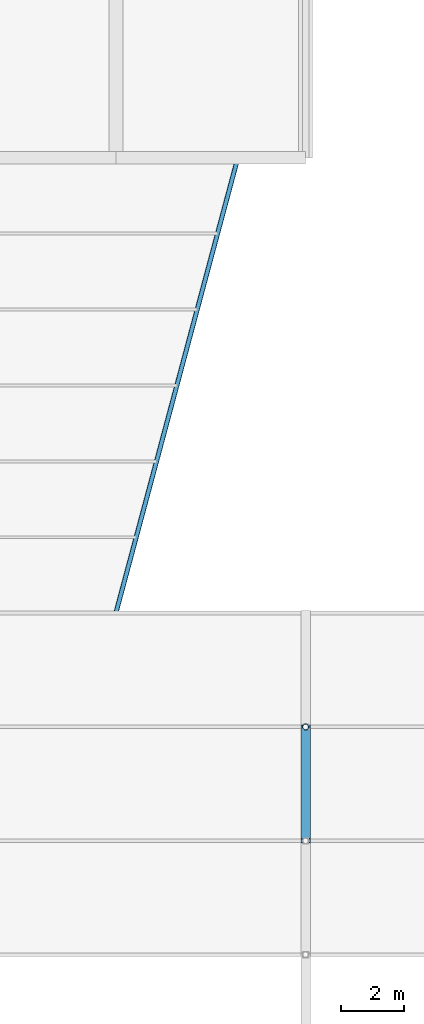
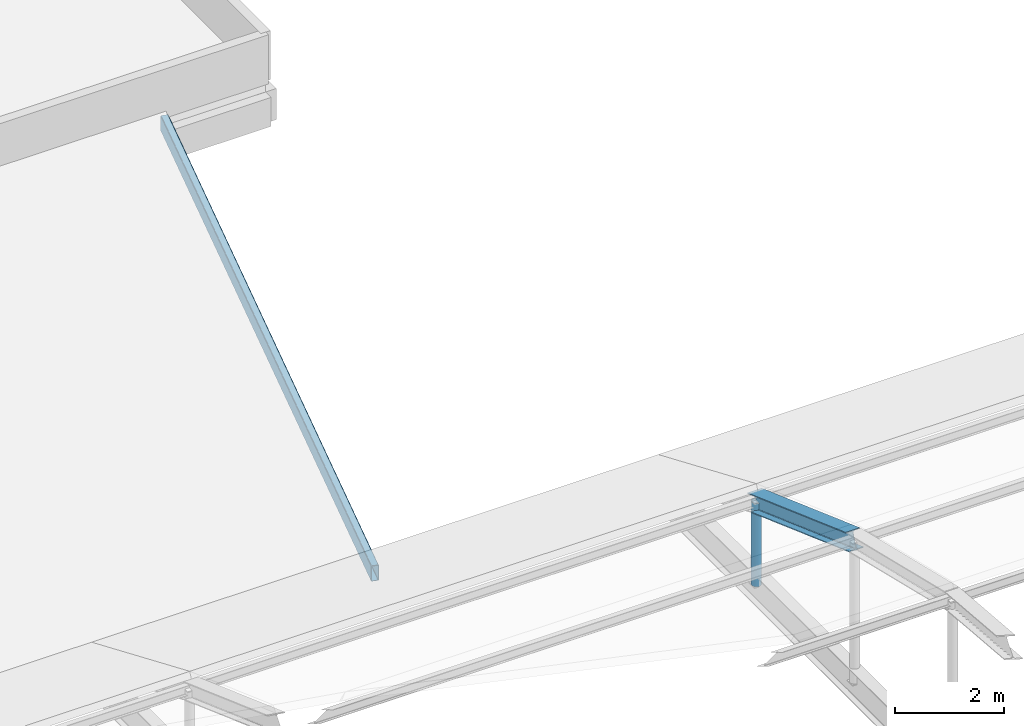
# One storey, part 183 of 239: 2 beams, 1 member.
"""IFC4 building model written with IfcOpenShell, lengths in metres."""

from ifc_helpers import new_model, si_unit, direction, frame, origin, origin_2d, place, context, subcontext, project, spatial, hollow_rectangle, hollow_circle, i_section, extrude, material, material_profile, profile_set, type_object, element, save


model = new_model("IFC4")

# Units and contexts
model_context = context("Model", 3, precision=1e-05, world=origin(), true_north=direction((0.0, 1.0)))
body_context = subcontext(model_context, "Body", "Model", "MODEL_VIEW")
ifc_project = project(units=[si_unit("LENGTHUNIT", "METRE"), si_unit("AREAUNIT", "SQUARE_METRE"), si_unit("VOLUMEUNIT", "CUBIC_METRE"), si_unit("PLANEANGLEUNIT", "RADIAN"), si_unit("MASSUNIT", "GRAM", prefix="KILO")], contexts=[model_context])

# Site, building, storey
site_placement = place(None, origin())
site = spatial("IfcSite", under=ifc_project, at=site_placement, CompositionType="ELEMENT")
building_placement = place(site_placement, origin())
building = spatial("IfcBuilding", under=site, at=building_placement, Name="Dunvalen Ferry Terminal", CompositionType="ELEMENT")
storey_placement = place(building_placement, frame((0.0, 0.0, 9.840087890625)))
storey = spatial("IfcBuildingStorey", under=building, at=storey_placement, Name="L02", CompositionType="ELEMENT", Elevation=9.840087890625)

# Beams
ifc_material = material(Name="Steel S355", Category="steel")
ifc_material_profile_1 = material_profile(ifc_material, i_section(OverallWidth=0.300048828125, OverallDepth=0.389892578125, WebThickness=0.010986328125, FlangeThickness=0.01904296875, FilletRadius=0.027099609375, at=origin_2d()), Name="Steel S355")
ifc_profile_set_1 = profile_set([ifc_material_profile_1], Name="Steel S355")
beam_type_1 = type_object("IfcBeamType", Name="STR-BM-HEA400", PredefinedType="BEAM", material=ifc_profile_set_1)
beam_1_placement = place(storey_placement, frame((144.0, 79.199951171875, 2.828369140625), z_axis=(0.0, 0.940736051004, -0.33913962072), x_axis=(-1.0, 0.0, 0.0)))
element("IfcBeam", 1, at=beam_1_placement, inside=storey, type_object=beam_type_1, Name="Arrivals Hall Barrel-Vault Arch Rib 04.7", PredefinedType="BEAM", context=body_context, shape_type="SweptSolid", body=[
    extrude(i_section(OverallWidth=0.300048828125, OverallDepth=0.389892578125, WebThickness=0.010986328125, FlangeThickness=0.01904296875, FilletRadius=0.027099609375, at=origin_2d()), origin(), (0.0, 0.0, 1.0), 3.826904296875),
])
ifc_material_profile_2 = material_profile(ifc_material, hollow_rectangle(XDim=0.14990234375, YDim=0.35009765625, WallThickness=0.010009765625, InnerFilletRadius=0.010009765625, OuterFilletRadius=0.02001953125, at=origin_2d()), Name="Steel S355")
ifc_profile_set_2 = profile_set([ifc_material_profile_2], Name="Steel S355")
beam_type_2 = type_object("IfcBeamType", Name="STR-BM-RHS350", PredefinedType="BEAM", material=ifc_profile_set_2)
beam_2_placement = place(storey_placement, frame((138.0, 86.39990234375, -0.18017578125), z_axis=(0.258812211902, 0.965927657214, 0.0), x_axis=(-0.965927657214, 0.258812211902, 0.0)))
element("IfcBeam", 2, at=beam_2_placement, inside=storey, type_object=beam_type_2, Name="Boarding Bridge 2 Warren Top Chord 2", PredefinedType="BEAM", context=body_context, shape_type="SweptSolid", body=[
    extrude(hollow_rectangle(XDim=0.14990234375, YDim=0.35009765625, WallThickness=0.010009765625, InnerFilletRadius=0.010009765625, OuterFilletRadius=0.02001953125, at=origin_2d()), origin(), (0.0, 0.0, 1.0), 14.908203125),
])

# Member
ifc_material_profile_3 = material_profile(ifc_material, hollow_circle(Radius=0.096923828125, WallThickness=0.008056640625, at=origin_2d()), Name="Steel S355")
ifc_profile_set_3 = profile_set([ifc_material_profile_3], Name="Steel S355")
member_type = type_object("IfcMemberType", Name="STR-MB-CHS193", PredefinedType="STRUT", material=ifc_profile_set_3)
member_placement = place(storey_placement, frame((144.0, 82.800048828125, -0.340087890625), z_axis=(0.0, 0.0, 1.0), x_axis=(1.0, 0.0, 0.0)))
element("IfcMember", 3, at=member_placement, inside=storey, type_object=member_type, Name="Arrivals Hall Vault Hanger 04.7", PredefinedType="STRUT", context=body_context, shape_type="SweptSolid", body=[
    extrude(hollow_circle(Radius=0.096923828125, WallThickness=0.008056640625, at=origin_2d()), origin(), (0.0, 0.0, 1.0), 1.87060546875),
])

save(model, "model.ifc")
